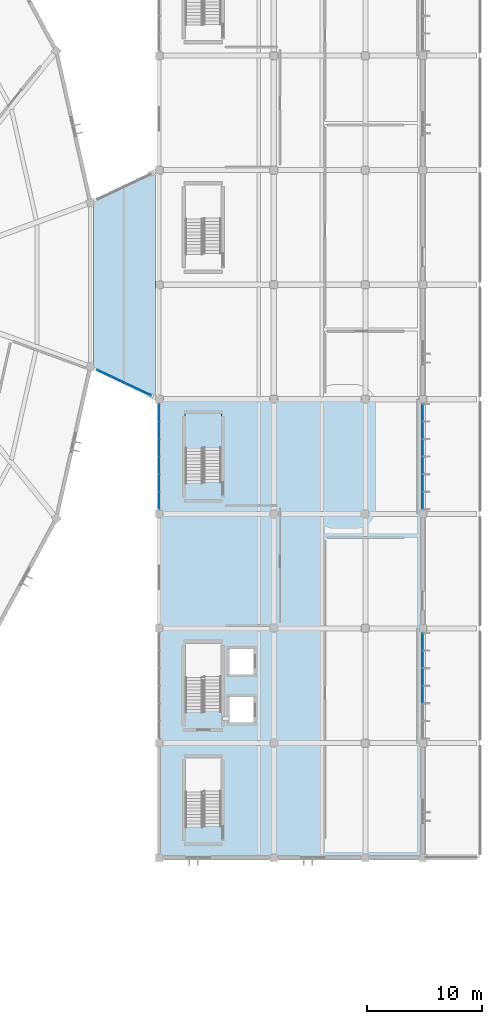
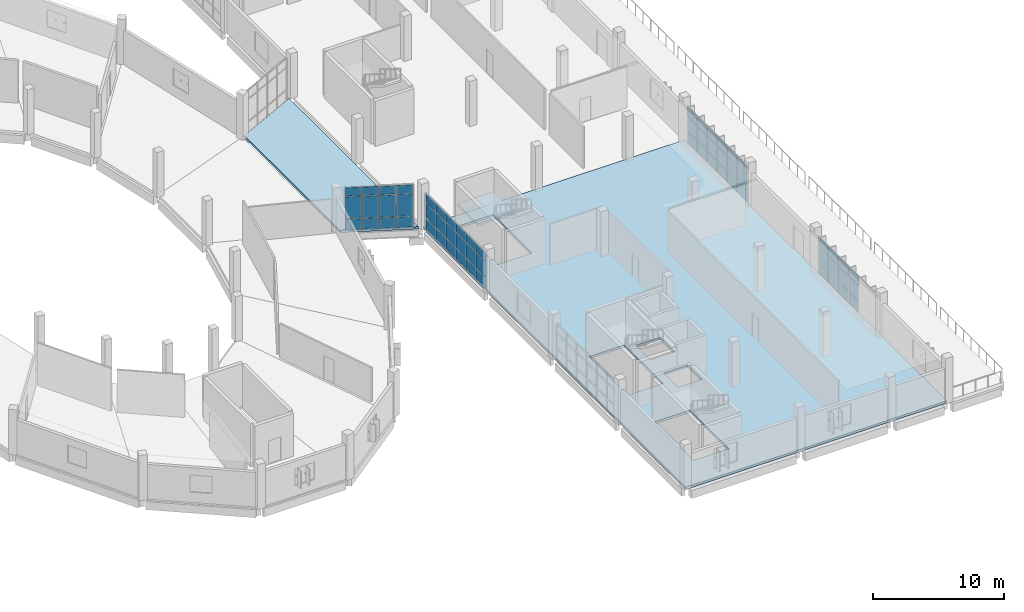
# One storey, part 88 of 142: 60 plates, 3 slabs, 5 elements without a shape of their own.
"""IFC4 building model written with IfcOpenShell, lengths in metres."""

from ifc_helpers import new_model, si_unit, direction, frame, origin, origin_2d, place, context, subcontext, project, spatial, polyline, rectangle, outline, extrude, material, layer, layer_set, type_object, element, aggregate, save


model = new_model("IFC4")

# Units and contexts
model_context = context("Model", 3, precision=1e-05, world=origin(), true_north=direction((0.0, 1.0)))
body_context = subcontext(model_context, "Body", "Model", "MODEL_VIEW")
ifc_project = project(units=[si_unit("LENGTHUNIT", "METRE"), si_unit("AREAUNIT", "SQUARE_METRE"), si_unit("VOLUMEUNIT", "CUBIC_METRE"), si_unit("PLANEANGLEUNIT", "RADIAN"), si_unit("MASSUNIT", "GRAM", prefix="KILO")], contexts=[model_context])

# Site, building, storey
site_placement = place(None, origin())
site = spatial("IfcSite", under=ifc_project, at=site_placement, CompositionType="ELEMENT")
building_placement = place(site_placement, origin())
building = spatial("IfcBuilding", under=site, at=building_placement, Name="Corvandel Quay Wholesale Market", CompositionType="ELEMENT")
storey_placement = place(building_placement, frame((0.0, 0.0, 10.800048828125)))
storey = spatial("IfcBuildingStorey", under=building, at=storey_placement, Name="L02", CompositionType="ELEMENT", Elevation=10.800048828125)

# Curtain wall, plates
ifc_material_1 = material(Name="Bronze anodised aluminium and low-E insulated glazing", Category="aluminium")
ifc_layer_1 = layer(ifc_material_1, 0.197998046875)
ifc_layer_set_1 = layer_set([ifc_layer_1], Name="Bronze anodised aluminium and low-E insulated glazing")
curtain_wall_type_1 = type_object("IfcCurtainWallType", Name="Stick Curtain Wall System CW14 H4260", PredefinedType="NOTDEFINED", material=ifc_layer_set_1)
curtain_wall_1_placement = place(storey_placement, origin())
curtain_wall_1 = element("IfcCurtainWall", 1, at=curtain_wall_1_placement, inside=storey, type_object=curtain_wall_type_1, Name="Curtain Wall CW-0156", PredefinedType="NOTDEFINED")
ifc_material_2 = material(Name="Solar-control low-E insulated glazing", Category="glass")
ifc_layer_2 = layer(ifc_material_2, 0.0400390625)
ifc_layer_set_2 = layer_set([ifc_layer_2], Name="Solar-control low-E insulated glazing")
plate_type_1 = type_object("IfcPlateType", Name="Ceramic Fritted Spandrel Panel PN03 40mm", PredefinedType="CURTAIN_PANEL", material=ifc_layer_set_2)
plate_1_placement = place(storey_placement, frame((243.0, 24.2333984375, 2.530029296875), z_axis=(0.0, 0.0, 1.0), x_axis=(0.0, 1.0, 0.0)))
plate_1 = element("IfcPlate", 2, at=plate_1_placement, type_object=plate_type_1, Name="Glazing Panel CW-0156-P02-2", PredefinedType="CURTAIN_PANEL", context=body_context, shape_type="SweptSolid", body=[
    extrude(rectangle(XDim=1.46826171875, YDim=0.0400390625, at=origin_2d()), origin(), (0.0, 0.0, 1.0), 0.7900390625),
])
plate_2_placement = place(storey_placement, frame((243.0, 25.7666015625, 2.530029296875), z_axis=(0.0, 0.0, 1.0), x_axis=(0.0, 1.0, 0.0)))
plate_2 = element("IfcPlate", 3, at=plate_2_placement, type_object=plate_type_1, Name="Glazing Panel CW-0156-P03-2", PredefinedType="CURTAIN_PANEL", context=body_context, shape_type="SweptSolid", body=[
    extrude(rectangle(XDim=1.46826171875, YDim=0.0400390625, at=origin_2d()), origin(), (0.0, 0.0, 1.0), 0.7900390625),
])
plate_3_placement = place(storey_placement, frame((243.0, 27.300048828125, 2.530029296875), z_axis=(0.0, 0.0, 1.0), x_axis=(0.0, 1.0, 0.0)))
plate_3 = element("IfcPlate", 4, at=plate_3_placement, type_object=plate_type_1, Name="Glazing Panel CW-0156-P04-2", PredefinedType="CURTAIN_PANEL", context=body_context, shape_type="SweptSolid", body=[
    extrude(rectangle(XDim=1.46826171875, YDim=0.0400390625, at=origin_2d()), origin(), (0.0, 0.0, 1.0), 0.7900390625),
])
plate_4_placement = place(storey_placement, frame((243.0, 28.833251953125, 2.530029296875), z_axis=(0.0, 0.0, 1.0), x_axis=(0.0, 1.0, 0.0)))
plate_4 = element("IfcPlate", 5, at=plate_4_placement, type_object=plate_type_1, Name="Glazing Panel CW-0156-P05-2", PredefinedType="CURTAIN_PANEL", context=body_context, shape_type="SweptSolid", body=[
    extrude(rectangle(XDim=1.46826171875, YDim=0.0400390625, at=origin_2d()), origin(), (0.0, 0.0, 1.0), 0.7900390625),
])

ifc_layer_3 = layer(ifc_material_1, 0.162109375)
ifc_layer_set_3 = layer_set([ifc_layer_3], Name="Bronze anodised aluminium and low-E insulated glazing")
curtain_wall_type_2 = type_object("IfcCurtainWallType", Name="Stick Curtain Wall System CW16 H4440", PredefinedType="NOTDEFINED", material=ifc_layer_set_3)
curtain_wall_2_placement = place(storey_placement, origin())
curtain_wall_2 = element("IfcCurtainWall", 6, at=curtain_wall_2_placement, inside=storey, type_object=curtain_wall_type_2, Name="Curtain Wall CW-0158", PredefinedType="NOTDEFINED")
plate_5_placement = place(storey_placement, frame((243.0, 41.166748046875, 2.530029296875), z_axis=(0.0, 0.0, 1.0), x_axis=(0.0, 1.0, 0.0)))
plate_5 = element("IfcPlate", 7, at=plate_5_placement, type_object=plate_type_1, Name="Glazing Panel CW-0158-P00-2", PredefinedType="CURTAIN_PANEL", context=body_context, shape_type="SweptSolid", body=[
    extrude(rectangle(XDim=1.46826171875, YDim=0.0400390625, at=origin_2d()), origin(), (0.0, 0.0, 1.0), 0.7900390625),
])
plate_6_placement = place(storey_placement, frame((243.0, 42.699951171875, 2.530029296875), z_axis=(0.0, 0.0, 1.0), x_axis=(0.0, 1.0, 0.0)))
plate_6 = element("IfcPlate", 8, at=plate_6_placement, type_object=plate_type_1, Name="Glazing Panel CW-0158-P01-2", PredefinedType="CURTAIN_PANEL", context=body_context, shape_type="SweptSolid", body=[
    extrude(rectangle(XDim=1.46826171875, YDim=0.0400390625, at=origin_2d()), origin(), (0.0, 0.0, 1.0), 0.7900390625),
])
plate_7_placement = place(storey_placement, frame((243.0, 44.2333984375, 2.530029296875), z_axis=(0.0, 0.0, 1.0), x_axis=(0.0, 1.0, 0.0)))
plate_7 = element("IfcPlate", 9, at=plate_7_placement, type_object=plate_type_1, Name="Glazing Panel CW-0158-P02-2", PredefinedType="CURTAIN_PANEL", context=body_context, shape_type="SweptSolid", body=[
    extrude(rectangle(XDim=1.46826171875, YDim=0.0400390625, at=origin_2d()), origin(), (0.0, 0.0, 1.0), 0.7900390625),
])
plate_8_placement = place(storey_placement, frame((243.0, 45.7666015625, 2.530029296875), z_axis=(0.0, 0.0, 1.0), x_axis=(0.0, 1.0, 0.0)))
plate_8 = element("IfcPlate", 10, at=plate_8_placement, type_object=plate_type_1, Name="Glazing Panel CW-0158-P03-2", PredefinedType="CURTAIN_PANEL", context=body_context, shape_type="SweptSolid", body=[
    extrude(rectangle(XDim=1.46826171875, YDim=0.0400390625, at=origin_2d()), origin(), (0.0, 0.0, 1.0), 0.7900390625),
])
plate_9_placement = place(storey_placement, frame((243.0, 47.300048828125, 2.530029296875), z_axis=(0.0, 0.0, 1.0), x_axis=(0.0, 1.0, 0.0)))
plate_9 = element("IfcPlate", 11, at=plate_9_placement, type_object=plate_type_1, Name="Glazing Panel CW-0158-P04-2", PredefinedType="CURTAIN_PANEL", context=body_context, shape_type="SweptSolid", body=[
    extrude(rectangle(XDim=1.46826171875, YDim=0.0400390625, at=origin_2d()), origin(), (0.0, 0.0, 1.0), 0.7900390625),
])
plate_10_placement = place(storey_placement, frame((243.0, 48.833251953125, 2.530029296875), z_axis=(0.0, 0.0, 1.0), x_axis=(0.0, 1.0, 0.0)))
plate_10 = element("IfcPlate", 12, at=plate_10_placement, type_object=plate_type_1, Name="Glazing Panel CW-0158-P05-2", PredefinedType="CURTAIN_PANEL", context=body_context, shape_type="SweptSolid", body=[
    extrude(rectangle(XDim=1.46826171875, YDim=0.0400390625, at=origin_2d()), origin(), (0.0, 0.0, 1.0), 0.7900390625),
])

ifc_layer_4 = layer(ifc_material_1, 0.174072265625)
ifc_layer_set_4 = layer_set([ifc_layer_4], Name="Bronze anodised aluminium and low-E insulated glazing")
curtain_wall_type_3 = type_object("IfcCurtainWallType", Name="Stick Curtain Wall System CW22 H4980", PredefinedType="NOTDEFINED", material=ifc_layer_set_4)
curtain_wall_3_placement = place(storey_placement, origin())
curtain_wall_3 = element("IfcCurtainWall", 13, at=curtain_wall_3_placement, inside=storey, type_object=curtain_wall_type_3, Name="Curtain Wall CW-0159", PredefinedType="NOTDEFINED")
plate_11_placement = place(storey_placement, frame((220.0, 41.166748046875, 2.530029296875), z_axis=(0.0, 0.0, 1.0), x_axis=(0.0, 1.0, 0.0)))
plate_11 = element("IfcPlate", 14, at=plate_11_placement, type_object=plate_type_1, Name="Glazing Panel CW-0159-P00-2", PredefinedType="CURTAIN_PANEL", context=body_context, shape_type="SweptSolid", body=[
    extrude(rectangle(XDim=1.46826171875, YDim=0.0400390625, at=origin_2d()), origin(), (0.0, 0.0, 1.0), 0.7900390625),
])
plate_12_placement = place(storey_placement, frame((220.0, 42.699951171875, 2.530029296875), z_axis=(0.0, 0.0, 1.0), x_axis=(0.0, 1.0, 0.0)))
plate_12 = element("IfcPlate", 15, at=plate_12_placement, type_object=plate_type_1, Name="Glazing Panel CW-0159-P01-2", PredefinedType="CURTAIN_PANEL", context=body_context, shape_type="SweptSolid", body=[
    extrude(rectangle(XDim=1.46826171875, YDim=0.0400390625, at=origin_2d()), origin(), (0.0, 0.0, 1.0), 0.7900390625),
])
plate_13_placement = place(storey_placement, frame((220.0, 44.2333984375, 2.530029296875), z_axis=(0.0, 0.0, 1.0), x_axis=(0.0, 1.0, 0.0)))
plate_13 = element("IfcPlate", 16, at=plate_13_placement, type_object=plate_type_1, Name="Glazing Panel CW-0159-P02-2", PredefinedType="CURTAIN_PANEL", context=body_context, shape_type="SweptSolid", body=[
    extrude(rectangle(XDim=1.46826171875, YDim=0.0400390625, at=origin_2d()), origin(), (0.0, 0.0, 1.0), 0.7900390625),
])
plate_14_placement = place(storey_placement, frame((220.0, 45.7666015625, 2.530029296875), z_axis=(0.0, 0.0, 1.0), x_axis=(0.0, 1.0, 0.0)))
plate_14 = element("IfcPlate", 17, at=plate_14_placement, type_object=plate_type_1, Name="Glazing Panel CW-0159-P03-2", PredefinedType="CURTAIN_PANEL", context=body_context, shape_type="SweptSolid", body=[
    extrude(rectangle(XDim=1.46826171875, YDim=0.0400390625, at=origin_2d()), origin(), (0.0, 0.0, 1.0), 0.7900390625),
])
plate_15_placement = place(storey_placement, frame((220.0, 47.300048828125, 2.530029296875), z_axis=(0.0, 0.0, 1.0), x_axis=(0.0, 1.0, 0.0)))
plate_15 = element("IfcPlate", 18, at=plate_15_placement, type_object=plate_type_1, Name="Glazing Panel CW-0159-P04-2", PredefinedType="CURTAIN_PANEL", context=body_context, shape_type="SweptSolid", body=[
    extrude(rectangle(XDim=1.46826171875, YDim=0.0400390625, at=origin_2d()), origin(), (0.0, 0.0, 1.0), 0.7900390625),
])
plate_16_placement = place(storey_placement, frame((220.0, 48.833251953125, 2.530029296875), z_axis=(0.0, 0.0, 1.0), x_axis=(0.0, 1.0, 0.0)))
plate_16 = element("IfcPlate", 19, at=plate_16_placement, type_object=plate_type_1, Name="Glazing Panel CW-0159-P05-2", PredefinedType="CURTAIN_PANEL", context=body_context, shape_type="SweptSolid", body=[
    extrude(rectangle(XDim=1.46826171875, YDim=0.0400390625, at=origin_2d()), origin(), (0.0, 0.0, 1.0), 0.7900390625),
])

ifc_layer_5 = layer(ifc_material_1, 0.14990234375)
ifc_layer_set_5 = layer_set([ifc_layer_5], Name="Bronze anodised aluminium and low-E insulated glazing")
curtain_wall_type_4 = type_object("IfcCurtainWallType", Name="Stick Curtain Wall System CW25 H5250", PredefinedType="NOTDEFINED", material=ifc_layer_set_5)
curtain_wall_4_placement = place(storey_placement, origin())
curtain_wall_4 = element("IfcCurtainWall", 20, at=curtain_wall_4_placement, inside=storey, type_object=curtain_wall_type_4, Name="Curtain Wall CW-0182", PredefinedType="NOTDEFINED")
plate_17_placement = place(storey_placement, frame((215.189453125, 52.276123046875, 3.1474609375), z_axis=(0.0, 0.0, 1.0), x_axis=(-0.903933318548, 0.427673421689, 0.0)))
plate_17 = element("IfcPlate", 21, at=plate_17_placement, type_object=plate_type_1, Name="Glazing Panel CW-0182-P00-2", PredefinedType="CURTAIN_PANEL", context=body_context, shape_type="SweptSolid", body=[
    extrude(rectangle(XDim=1.241943359375, YDim=0.0400390625, at=origin_2d()), origin(), (0.0, 0.0, 1.0), 0.794921875),
])
plate_18_placement = place(storey_placement, frame((216.366455078125, 51.71923828125, 3.1474609375), z_axis=(0.0, 0.0, 1.0), x_axis=(-0.903933318548, 0.427673421689, 0.0)))
plate_18 = element("IfcPlate", 22, at=plate_18_placement, type_object=plate_type_1, Name="Glazing Panel CW-0182-P01-2", PredefinedType="CURTAIN_PANEL", context=body_context, shape_type="SweptSolid", body=[
    extrude(rectangle(XDim=1.241943359375, YDim=0.0400390625, at=origin_2d()), origin(), (0.0, 0.0, 1.0), 0.794921875),
])
plate_19_placement = place(storey_placement, frame((217.543212890625, 51.16259765625, 3.1474609375), z_axis=(0.0, 0.0, 1.0), x_axis=(-0.903933318548, 0.427673421689, 0.0)))
plate_19 = element("IfcPlate", 23, at=plate_19_placement, type_object=plate_type_1, Name="Glazing Panel CW-0182-P02-2", PredefinedType="CURTAIN_PANEL", context=body_context, shape_type="SweptSolid", body=[
    extrude(rectangle(XDim=1.241943359375, YDim=0.0400390625, at=origin_2d()), origin(), (0.0, 0.0, 1.0), 0.794921875),
])
plate_20_placement = place(storey_placement, frame((218.72021484375, 50.605712890625, 3.1474609375), z_axis=(0.0, 0.0, 1.0), x_axis=(-0.903933318548, 0.427673421689, 0.0)))
plate_20 = element("IfcPlate", 24, at=plate_20_placement, type_object=plate_type_1, Name="Glazing Panel CW-0182-P03-2", PredefinedType="CURTAIN_PANEL", context=body_context, shape_type="SweptSolid", body=[
    extrude(rectangle(XDim=1.241943359375, YDim=0.0400390625, at=origin_2d()), origin(), (0.0, 0.0, 1.0), 0.794921875),
])

# Slabs
ifc_material_3 = material(Name="Precast concrete C45/55", Category="concrete")
ifc_layer_6 = layer(ifc_material_3, 0.219970703125)
ifc_layer_set_6 = layer_set([ifc_layer_6], Name="Precast concrete C45/55")
slab_type_1 = type_object("IfcSlabType", Name="Composite Precast Office Floor Slab 220", PredefinedType="FLOOR", material=ifc_layer_set_6)
slab_1_placement = place(storey_placement, frame((0.0, 0.0, -0.219970703125)))
element("IfcSlab", 25, at=slab_1_placement, inside=storey, type_object=slab_type_1, Name="Slab SLB-0466", PredefinedType="FLOOR", context=body_context, shape_type="SweptSolid", body=[
    extrude(outline(polyline([(220.0, 50.0), (243.0, 50.0), (243.0, 10.0), (220.0, 10.0), (220.0, 50.0)]), holes=[polyline([(225.39990234375, 12.800048828125), (225.39990234375, 18.699951171875), (222.300048828125, 18.699951171875), (222.300048828125, 12.800048828125), (225.39990234375, 12.800048828125)]), polyline([(228.25, 21.800048828125), (228.25, 24.0), (226.14990234375, 24.0), (226.14990234375, 21.800048828125), (228.25, 21.800048828125)]), polyline([(225.39990234375, 28.699951171875), (222.300048828125, 28.699951171875), (222.300048828125, 22.800048828125), (225.39990234375, 22.800048828125), (225.39990234375, 28.699951171875)]), polyline([(228.25, 26.0), (228.25, 28.199951171875), (226.14990234375, 28.199951171875), (226.14990234375, 26.0), (228.25, 26.0)]), polyline([(225.39990234375, 48.699951171875), (222.300048828125, 48.699951171875), (222.300048828125, 42.800048828125), (225.39990234375, 42.800048828125), (225.39990234375, 48.699951171875)])]), origin(), (0.0, 0.0, 1.0), 0.219970703125),
])
slab_2_placement = place(storey_placement, frame((0.0, 0.0, -0.219970703125)))
element("IfcSlab", 26, at=slab_2_placement, inside=storey, type_object=slab_type_1, Name="Slab SLB-0485", PredefinedType="FLOOR", context=body_context, shape_type="SweptSolid", body=[
    extrude(outline(polyline([(214.239013671875, 52.72607421875), (219.669921875, 50.156005859375), (219.669921875, 69.843994140625), (214.239013671875, 67.27392578125), (214.239013671875, 52.72607421875)])), origin(), (0.0, 0.0, 1.0), 0.219970703125),
])

# Plate
ifc_layer_7 = layer(ifc_material_2, 0.028076171875)
ifc_layer_set_7 = layer_set([ifc_layer_7], Name="Solar-control low-E insulated glazing")
plate_type_2 = type_object("IfcPlateType", Name="Double Low-E Vision Panel PN01 28mm", PredefinedType="CURTAIN_PANEL", material=ifc_layer_set_7)
plate_21_placement = place(storey_placement, frame((243.0, 24.2333984375, 0.02978515625), z_axis=(0.0, 0.0, 1.0), x_axis=(0.0, 1.0, 0.0)))
plate_21 = element("IfcPlate", 27, at=plate_21_placement, type_object=plate_type_2, Name="Glazing Panel CW-0156-P02-0", PredefinedType="CURTAIN_PANEL", context=body_context, shape_type="SweptSolid", body=[
    extrude(rectangle(XDim=1.46826171875, YDim=0.028076171875, at=origin_2d()), origin(), (0.0, 0.0, 1.0), 0.989990234375),
])

plate_22_placement = place(storey_placement, frame((243.0, 24.2333984375, 1.080078125), z_axis=(0.0, 0.0, 1.0), x_axis=(0.0, 1.0, 0.0)))
plate_22 = element("IfcPlate", 28, at=plate_22_placement, type_object=plate_type_2, Name="Glazing Panel CW-0156-P02-1", PredefinedType="CURTAIN_PANEL", context=body_context, shape_type="SweptSolid", body=[
    extrude(rectangle(XDim=1.46826171875, YDim=0.028076171875, at=origin_2d()), origin(), (0.0, 0.0, 1.0), 1.389892578125),
])

plate_23_placement = place(storey_placement, frame((243.0, 25.7666015625, 0.02978515625), z_axis=(0.0, 0.0, 1.0), x_axis=(0.0, 1.0, 0.0)))
plate_23 = element("IfcPlate", 29, at=plate_23_placement, type_object=plate_type_2, Name="Glazing Panel CW-0156-P03-0", PredefinedType="CURTAIN_PANEL", context=body_context, shape_type="SweptSolid", body=[
    extrude(rectangle(XDim=1.46826171875, YDim=0.028076171875, at=origin_2d()), origin(), (0.0, 0.0, 1.0), 0.989990234375),
])

plate_24_placement = place(storey_placement, frame((243.0, 25.7666015625, 1.080078125), z_axis=(0.0, 0.0, 1.0), x_axis=(0.0, 1.0, 0.0)))
plate_24 = element("IfcPlate", 30, at=plate_24_placement, type_object=plate_type_2, Name="Glazing Panel CW-0156-P03-1", PredefinedType="CURTAIN_PANEL", context=body_context, shape_type="SweptSolid", body=[
    extrude(rectangle(XDim=1.46826171875, YDim=0.028076171875, at=origin_2d()), origin(), (0.0, 0.0, 1.0), 1.389892578125),
])

plate_25_placement = place(storey_placement, frame((243.0, 27.300048828125, 0.02978515625), z_axis=(0.0, 0.0, 1.0), x_axis=(0.0, 1.0, 0.0)))
plate_25 = element("IfcPlate", 31, at=plate_25_placement, type_object=plate_type_2, Name="Glazing Panel CW-0156-P04-0", PredefinedType="CURTAIN_PANEL", context=body_context, shape_type="SweptSolid", body=[
    extrude(rectangle(XDim=1.46826171875, YDim=0.028076171875, at=origin_2d()), origin(), (0.0, 0.0, 1.0), 0.989990234375),
])

plate_26_placement = place(storey_placement, frame((243.0, 27.300048828125, 1.080078125), z_axis=(0.0, 0.0, 1.0), x_axis=(0.0, 1.0, 0.0)))
plate_26 = element("IfcPlate", 32, at=plate_26_placement, type_object=plate_type_2, Name="Glazing Panel CW-0156-P04-1", PredefinedType="CURTAIN_PANEL", context=body_context, shape_type="SweptSolid", body=[
    extrude(rectangle(XDim=1.46826171875, YDim=0.028076171875, at=origin_2d()), origin(), (0.0, 0.0, 1.0), 1.389892578125),
])

plate_27_placement = place(storey_placement, frame((243.0, 28.833251953125, 0.02978515625), z_axis=(0.0, 0.0, 1.0), x_axis=(0.0, 1.0, 0.0)))
plate_27 = element("IfcPlate", 33, at=plate_27_placement, type_object=plate_type_2, Name="Glazing Panel CW-0156-P05-0", PredefinedType="CURTAIN_PANEL", context=body_context, shape_type="SweptSolid", body=[
    extrude(rectangle(XDim=1.46826171875, YDim=0.028076171875, at=origin_2d()), origin(), (0.0, 0.0, 1.0), 0.989990234375),
])

plate_28_placement = place(storey_placement, frame((243.0, 28.833251953125, 1.080078125), z_axis=(0.0, 0.0, 1.0), x_axis=(0.0, 1.0, 0.0)))
plate_28 = element("IfcPlate", 34, at=plate_28_placement, type_object=plate_type_2, Name="Glazing Panel CW-0156-P05-1", PredefinedType="CURTAIN_PANEL", context=body_context, shape_type="SweptSolid", body=[
    extrude(rectangle(XDim=1.46826171875, YDim=0.028076171875, at=origin_2d()), origin(), (0.0, 0.0, 1.0), 1.389892578125),
])

aggregate(curtain_wall_1, [plate_21, plate_22, plate_1, plate_23, plate_24, plate_2, plate_25, plate_26, plate_3, plate_27, plate_28, plate_4])

plate_29_placement = place(storey_placement, frame((243.0, 41.166748046875, 0.02978515625), z_axis=(0.0, 0.0, 1.0), x_axis=(0.0, 1.0, 0.0)))
plate_29 = element("IfcPlate", 35, at=plate_29_placement, type_object=plate_type_2, Name="Glazing Panel CW-0158-P00-0", PredefinedType="CURTAIN_PANEL", context=body_context, shape_type="SweptSolid", body=[
    extrude(rectangle(XDim=1.46826171875, YDim=0.028076171875, at=origin_2d()), origin(), (0.0, 0.0, 1.0), 0.989990234375),
])

plate_30_placement = place(storey_placement, frame((243.0, 41.166748046875, 1.080078125), z_axis=(0.0, 0.0, 1.0), x_axis=(0.0, 1.0, 0.0)))
plate_30 = element("IfcPlate", 36, at=plate_30_placement, type_object=plate_type_2, Name="Glazing Panel CW-0158-P00-1", PredefinedType="CURTAIN_PANEL", context=body_context, shape_type="SweptSolid", body=[
    extrude(rectangle(XDim=1.46826171875, YDim=0.028076171875, at=origin_2d()), origin(), (0.0, 0.0, 1.0), 1.389892578125),
])

plate_31_placement = place(storey_placement, frame((243.0, 42.699951171875, 0.02978515625), z_axis=(0.0, 0.0, 1.0), x_axis=(0.0, 1.0, 0.0)))
plate_31 = element("IfcPlate", 37, at=plate_31_placement, type_object=plate_type_2, Name="Glazing Panel CW-0158-P01-0", PredefinedType="CURTAIN_PANEL", context=body_context, shape_type="SweptSolid", body=[
    extrude(rectangle(XDim=1.46826171875, YDim=0.028076171875, at=origin_2d()), origin(), (0.0, 0.0, 1.0), 0.989990234375),
])

plate_32_placement = place(storey_placement, frame((243.0, 42.699951171875, 1.080078125), z_axis=(0.0, 0.0, 1.0), x_axis=(0.0, 1.0, 0.0)))
plate_32 = element("IfcPlate", 38, at=plate_32_placement, type_object=plate_type_2, Name="Glazing Panel CW-0158-P01-1", PredefinedType="CURTAIN_PANEL", context=body_context, shape_type="SweptSolid", body=[
    extrude(rectangle(XDim=1.46826171875, YDim=0.028076171875, at=origin_2d()), origin(), (0.0, 0.0, 1.0), 1.389892578125),
])

plate_33_placement = place(storey_placement, frame((243.0, 44.2333984375, 0.02978515625), z_axis=(0.0, 0.0, 1.0), x_axis=(0.0, 1.0, 0.0)))
plate_33 = element("IfcPlate", 39, at=plate_33_placement, type_object=plate_type_2, Name="Glazing Panel CW-0158-P02-0", PredefinedType="CURTAIN_PANEL", context=body_context, shape_type="SweptSolid", body=[
    extrude(rectangle(XDim=1.46826171875, YDim=0.028076171875, at=origin_2d()), origin(), (0.0, 0.0, 1.0), 0.989990234375),
])

plate_34_placement = place(storey_placement, frame((243.0, 44.2333984375, 1.080078125), z_axis=(0.0, 0.0, 1.0), x_axis=(0.0, 1.0, 0.0)))
plate_34 = element("IfcPlate", 40, at=plate_34_placement, type_object=plate_type_2, Name="Glazing Panel CW-0158-P02-1", PredefinedType="CURTAIN_PANEL", context=body_context, shape_type="SweptSolid", body=[
    extrude(rectangle(XDim=1.46826171875, YDim=0.028076171875, at=origin_2d()), origin(), (0.0, 0.0, 1.0), 1.389892578125),
])

plate_35_placement = place(storey_placement, frame((243.0, 45.7666015625, 0.02978515625), z_axis=(0.0, 0.0, 1.0), x_axis=(0.0, 1.0, 0.0)))
plate_35 = element("IfcPlate", 41, at=plate_35_placement, type_object=plate_type_2, Name="Glazing Panel CW-0158-P03-0", PredefinedType="CURTAIN_PANEL", context=body_context, shape_type="SweptSolid", body=[
    extrude(rectangle(XDim=1.46826171875, YDim=0.028076171875, at=origin_2d()), origin(), (0.0, 0.0, 1.0), 0.989990234375),
])

plate_36_placement = place(storey_placement, frame((243.0, 45.7666015625, 1.080078125), z_axis=(0.0, 0.0, 1.0), x_axis=(0.0, 1.0, 0.0)))
plate_36 = element("IfcPlate", 42, at=plate_36_placement, type_object=plate_type_2, Name="Glazing Panel CW-0158-P03-1", PredefinedType="CURTAIN_PANEL", context=body_context, shape_type="SweptSolid", body=[
    extrude(rectangle(XDim=1.46826171875, YDim=0.028076171875, at=origin_2d()), origin(), (0.0, 0.0, 1.0), 1.389892578125),
])

plate_37_placement = place(storey_placement, frame((243.0, 47.300048828125, 0.02978515625), z_axis=(0.0, 0.0, 1.0), x_axis=(0.0, 1.0, 0.0)))
plate_37 = element("IfcPlate", 43, at=plate_37_placement, type_object=plate_type_2, Name="Glazing Panel CW-0158-P04-0", PredefinedType="CURTAIN_PANEL", context=body_context, shape_type="SweptSolid", body=[
    extrude(rectangle(XDim=1.46826171875, YDim=0.028076171875, at=origin_2d()), origin(), (0.0, 0.0, 1.0), 0.989990234375),
])

plate_38_placement = place(storey_placement, frame((243.0, 47.300048828125, 1.080078125), z_axis=(0.0, 0.0, 1.0), x_axis=(0.0, 1.0, 0.0)))
plate_38 = element("IfcPlate", 44, at=plate_38_placement, type_object=plate_type_2, Name="Glazing Panel CW-0158-P04-1", PredefinedType="CURTAIN_PANEL", context=body_context, shape_type="SweptSolid", body=[
    extrude(rectangle(XDim=1.46826171875, YDim=0.028076171875, at=origin_2d()), origin(), (0.0, 0.0, 1.0), 1.389892578125),
])

plate_39_placement = place(storey_placement, frame((243.0, 48.833251953125, 0.02978515625), z_axis=(0.0, 0.0, 1.0), x_axis=(0.0, 1.0, 0.0)))
plate_39 = element("IfcPlate", 45, at=plate_39_placement, type_object=plate_type_2, Name="Glazing Panel CW-0158-P05-0", PredefinedType="CURTAIN_PANEL", context=body_context, shape_type="SweptSolid", body=[
    extrude(rectangle(XDim=1.46826171875, YDim=0.028076171875, at=origin_2d()), origin(), (0.0, 0.0, 1.0), 0.989990234375),
])

plate_40_placement = place(storey_placement, frame((243.0, 48.833251953125, 1.080078125), z_axis=(0.0, 0.0, 1.0), x_axis=(0.0, 1.0, 0.0)))
plate_40 = element("IfcPlate", 46, at=plate_40_placement, type_object=plate_type_2, Name="Glazing Panel CW-0158-P05-1", PredefinedType="CURTAIN_PANEL", context=body_context, shape_type="SweptSolid", body=[
    extrude(rectangle(XDim=1.46826171875, YDim=0.028076171875, at=origin_2d()), origin(), (0.0, 0.0, 1.0), 1.389892578125),
])

aggregate(curtain_wall_2, [plate_29, plate_30, plate_5, plate_31, plate_32, plate_6, plate_33, plate_34, plate_7, plate_35, plate_36, plate_8, plate_37, plate_38, plate_9, plate_39, plate_40, plate_10])

plate_41_placement = place(storey_placement, frame((220.0, 41.166748046875, 0.02978515625), z_axis=(0.0, 0.0, 1.0), x_axis=(0.0, 1.0, 0.0)))
plate_41 = element("IfcPlate", 47, at=plate_41_placement, type_object=plate_type_2, Name="Glazing Panel CW-0159-P00-0", PredefinedType="CURTAIN_PANEL", context=body_context, shape_type="SweptSolid", body=[
    extrude(rectangle(XDim=1.46826171875, YDim=0.028076171875, at=origin_2d()), origin(), (0.0, 0.0, 1.0), 0.989990234375),
])

plate_42_placement = place(storey_placement, frame((220.0, 41.166748046875, 1.080078125), z_axis=(0.0, 0.0, 1.0), x_axis=(0.0, 1.0, 0.0)))
plate_42 = element("IfcPlate", 48, at=plate_42_placement, type_object=plate_type_2, Name="Glazing Panel CW-0159-P00-1", PredefinedType="CURTAIN_PANEL", context=body_context, shape_type="SweptSolid", body=[
    extrude(rectangle(XDim=1.46826171875, YDim=0.028076171875, at=origin_2d()), origin(), (0.0, 0.0, 1.0), 1.389892578125),
])

plate_43_placement = place(storey_placement, frame((220.0, 42.699951171875, 0.02978515625), z_axis=(0.0, 0.0, 1.0), x_axis=(0.0, 1.0, 0.0)))
plate_43 = element("IfcPlate", 49, at=plate_43_placement, type_object=plate_type_2, Name="Glazing Panel CW-0159-P01-0", PredefinedType="CURTAIN_PANEL", context=body_context, shape_type="SweptSolid", body=[
    extrude(rectangle(XDim=1.46826171875, YDim=0.028076171875, at=origin_2d()), origin(), (0.0, 0.0, 1.0), 0.989990234375),
])

plate_44_placement = place(storey_placement, frame((220.0, 42.699951171875, 1.080078125), z_axis=(0.0, 0.0, 1.0), x_axis=(0.0, 1.0, 0.0)))
plate_44 = element("IfcPlate", 50, at=plate_44_placement, type_object=plate_type_2, Name="Glazing Panel CW-0159-P01-1", PredefinedType="CURTAIN_PANEL", context=body_context, shape_type="SweptSolid", body=[
    extrude(rectangle(XDim=1.46826171875, YDim=0.028076171875, at=origin_2d()), origin(), (0.0, 0.0, 1.0), 1.389892578125),
])

plate_45_placement = place(storey_placement, frame((220.0, 44.2333984375, 0.02978515625), z_axis=(0.0, 0.0, 1.0), x_axis=(0.0, 1.0, 0.0)))
plate_45 = element("IfcPlate", 51, at=plate_45_placement, type_object=plate_type_2, Name="Glazing Panel CW-0159-P02-0", PredefinedType="CURTAIN_PANEL", context=body_context, shape_type="SweptSolid", body=[
    extrude(rectangle(XDim=1.46826171875, YDim=0.028076171875, at=origin_2d()), origin(), (0.0, 0.0, 1.0), 0.989990234375),
])

plate_46_placement = place(storey_placement, frame((220.0, 44.2333984375, 1.080078125), z_axis=(0.0, 0.0, 1.0), x_axis=(0.0, 1.0, 0.0)))
plate_46 = element("IfcPlate", 52, at=plate_46_placement, type_object=plate_type_2, Name="Glazing Panel CW-0159-P02-1", PredefinedType="CURTAIN_PANEL", context=body_context, shape_type="SweptSolid", body=[
    extrude(rectangle(XDim=1.46826171875, YDim=0.028076171875, at=origin_2d()), origin(), (0.0, 0.0, 1.0), 1.389892578125),
])

plate_47_placement = place(storey_placement, frame((220.0, 45.7666015625, 0.02978515625), z_axis=(0.0, 0.0, 1.0), x_axis=(0.0, 1.0, 0.0)))
plate_47 = element("IfcPlate", 53, at=plate_47_placement, type_object=plate_type_2, Name="Glazing Panel CW-0159-P03-0", PredefinedType="CURTAIN_PANEL", context=body_context, shape_type="SweptSolid", body=[
    extrude(rectangle(XDim=1.46826171875, YDim=0.028076171875, at=origin_2d()), origin(), (0.0, 0.0, 1.0), 0.989990234375),
])

plate_48_placement = place(storey_placement, frame((220.0, 45.7666015625, 1.080078125), z_axis=(0.0, 0.0, 1.0), x_axis=(0.0, 1.0, 0.0)))
plate_48 = element("IfcPlate", 54, at=plate_48_placement, type_object=plate_type_2, Name="Glazing Panel CW-0159-P03-1", PredefinedType="CURTAIN_PANEL", context=body_context, shape_type="SweptSolid", body=[
    extrude(rectangle(XDim=1.46826171875, YDim=0.028076171875, at=origin_2d()), origin(), (0.0, 0.0, 1.0), 1.389892578125),
])

plate_49_placement = place(storey_placement, frame((220.0, 47.300048828125, 0.02978515625), z_axis=(0.0, 0.0, 1.0), x_axis=(0.0, 1.0, 0.0)))
plate_49 = element("IfcPlate", 55, at=plate_49_placement, type_object=plate_type_2, Name="Glazing Panel CW-0159-P04-0", PredefinedType="CURTAIN_PANEL", context=body_context, shape_type="SweptSolid", body=[
    extrude(rectangle(XDim=1.46826171875, YDim=0.028076171875, at=origin_2d()), origin(), (0.0, 0.0, 1.0), 0.989990234375),
])

plate_50_placement = place(storey_placement, frame((220.0, 47.300048828125, 1.080078125), z_axis=(0.0, 0.0, 1.0), x_axis=(0.0, 1.0, 0.0)))
plate_50 = element("IfcPlate", 56, at=plate_50_placement, type_object=plate_type_2, Name="Glazing Panel CW-0159-P04-1", PredefinedType="CURTAIN_PANEL", context=body_context, shape_type="SweptSolid", body=[
    extrude(rectangle(XDim=1.46826171875, YDim=0.028076171875, at=origin_2d()), origin(), (0.0, 0.0, 1.0), 1.389892578125),
])

plate_51_placement = place(storey_placement, frame((220.0, 48.833251953125, 0.02978515625), z_axis=(0.0, 0.0, 1.0), x_axis=(0.0, 1.0, 0.0)))
plate_51 = element("IfcPlate", 57, at=plate_51_placement, type_object=plate_type_2, Name="Glazing Panel CW-0159-P05-0", PredefinedType="CURTAIN_PANEL", context=body_context, shape_type="SweptSolid", body=[
    extrude(rectangle(XDim=1.46826171875, YDim=0.028076171875, at=origin_2d()), origin(), (0.0, 0.0, 1.0), 0.989990234375),
])

plate_52_placement = place(storey_placement, frame((220.0, 48.833251953125, 1.080078125), z_axis=(0.0, 0.0, 1.0), x_axis=(0.0, 1.0, 0.0)))
plate_52 = element("IfcPlate", 58, at=plate_52_placement, type_object=plate_type_2, Name="Glazing Panel CW-0159-P05-1", PredefinedType="CURTAIN_PANEL", context=body_context, shape_type="SweptSolid", body=[
    extrude(rectangle(XDim=1.46826171875, YDim=0.028076171875, at=origin_2d()), origin(), (0.0, 0.0, 1.0), 1.389892578125),
])

aggregate(curtain_wall_3, [plate_41, plate_42, plate_11, plate_43, plate_44, plate_12, plate_45, plate_46, plate_13, plate_47, plate_48, plate_14, plate_49, plate_50, plate_15, plate_51, plate_52, plate_16])

plate_53_placement = place(storey_placement, frame((215.189453125, 52.276123046875, -0.002685546875), z_axis=(0.0, 0.0, 1.0), x_axis=(-0.903933318548, 0.427673421689, 0.0)))
plate_53 = element("IfcPlate", 59, at=plate_53_placement, type_object=plate_type_2, Name="Glazing Panel CW-0182-P00-0", PredefinedType="CURTAIN_PANEL", context=body_context, shape_type="SweptSolid", body=[
    extrude(rectangle(XDim=1.241943359375, YDim=0.028076171875, at=origin_2d()), origin(), (0.0, 0.0, 1.0), 0.9951171875),
])

plate_54_placement = place(storey_placement, frame((215.189453125, 52.276123046875, 1.047607421875), z_axis=(0.0, 0.0, 1.0), x_axis=(-0.903933318548, 0.427673421689, 0.0)))
plate_54 = element("IfcPlate", 60, at=plate_54_placement, type_object=plate_type_2, Name="Glazing Panel CW-0182-P00-1", PredefinedType="CURTAIN_PANEL", context=body_context, shape_type="SweptSolid", body=[
    extrude(rectangle(XDim=1.241943359375, YDim=0.028076171875, at=origin_2d()), origin(), (0.0, 0.0, 1.0), 2.044921875),
])

plate_55_placement = place(storey_placement, frame((216.366455078125, 51.71923828125, -0.002685546875), z_axis=(0.0, 0.0, 1.0), x_axis=(-0.903933318548, 0.427673421689, 0.0)))
plate_55 = element("IfcPlate", 61, at=plate_55_placement, type_object=plate_type_2, Name="Glazing Panel CW-0182-P01-0", PredefinedType="CURTAIN_PANEL", context=body_context, shape_type="SweptSolid", body=[
    extrude(rectangle(XDim=1.241943359375, YDim=0.028076171875, at=origin_2d()), origin(), (0.0, 0.0, 1.0), 0.9951171875),
])

plate_56_placement = place(storey_placement, frame((216.366455078125, 51.71923828125, 1.047607421875), z_axis=(0.0, 0.0, 1.0), x_axis=(-0.903933318548, 0.427673421689, 0.0)))
plate_56 = element("IfcPlate", 62, at=plate_56_placement, type_object=plate_type_2, Name="Glazing Panel CW-0182-P01-1", PredefinedType="CURTAIN_PANEL", context=body_context, shape_type="SweptSolid", body=[
    extrude(rectangle(XDim=1.241943359375, YDim=0.028076171875, at=origin_2d()), origin(), (0.0, 0.0, 1.0), 2.044921875),
])

plate_57_placement = place(storey_placement, frame((217.543212890625, 51.16259765625, -0.002685546875), z_axis=(0.0, 0.0, 1.0), x_axis=(-0.903933318548, 0.427673421689, 0.0)))
plate_57 = element("IfcPlate", 63, at=plate_57_placement, type_object=plate_type_2, Name="Glazing Panel CW-0182-P02-0", PredefinedType="CURTAIN_PANEL", context=body_context, shape_type="SweptSolid", body=[
    extrude(rectangle(XDim=1.241943359375, YDim=0.028076171875, at=origin_2d()), origin(), (0.0, 0.0, 1.0), 0.9951171875),
])

plate_58_placement = place(storey_placement, frame((217.543212890625, 51.16259765625, 1.047607421875), z_axis=(0.0, 0.0, 1.0), x_axis=(-0.903933318548, 0.427673421689, 0.0)))
plate_58 = element("IfcPlate", 64, at=plate_58_placement, type_object=plate_type_2, Name="Glazing Panel CW-0182-P02-1", PredefinedType="CURTAIN_PANEL", context=body_context, shape_type="SweptSolid", body=[
    extrude(rectangle(XDim=1.241943359375, YDim=0.028076171875, at=origin_2d()), origin(), (0.0, 0.0, 1.0), 2.044921875),
])

plate_59_placement = place(storey_placement, frame((218.72021484375, 50.605712890625, -0.002685546875), z_axis=(0.0, 0.0, 1.0), x_axis=(-0.903933318548, 0.427673421689, 0.0)))
plate_59 = element("IfcPlate", 65, at=plate_59_placement, type_object=plate_type_2, Name="Glazing Panel CW-0182-P03-0", PredefinedType="CURTAIN_PANEL", context=body_context, shape_type="SweptSolid", body=[
    extrude(rectangle(XDim=1.241943359375, YDim=0.028076171875, at=origin_2d()), origin(), (0.0, 0.0, 1.0), 0.9951171875),
])

plate_60_placement = place(storey_placement, frame((218.72021484375, 50.605712890625, 1.047607421875), z_axis=(0.0, 0.0, 1.0), x_axis=(-0.903933318548, 0.427673421689, 0.0)))
plate_60 = element("IfcPlate", 66, at=plate_60_placement, type_object=plate_type_2, Name="Glazing Panel CW-0182-P03-1", PredefinedType="CURTAIN_PANEL", context=body_context, shape_type="SweptSolid", body=[
    extrude(rectangle(XDim=1.241943359375, YDim=0.028076171875, at=origin_2d()), origin(), (0.0, 0.0, 1.0), 2.044921875),
])

aggregate(curtain_wall_4, [plate_53, plate_54, plate_17, plate_55, plate_56, plate_18, plate_57, plate_58, plate_19, plate_59, plate_60, plate_20])

# Stair, slab
ifc_material_4 = material(Name="Concrete C40/50", Category="concrete")
stair_type = type_object("IfcStairType", Name="Exit Stair Two-Return L02-L03 ST03", PredefinedType="USERDEFINED", material=ifc_material_4)
stair_placement = place(storey_placement, origin())
stair = element("IfcStair", 67, at=stair_placement, inside=storey, type_object=stair_type, Name="Exit Stair STR-031", ObjectType="TWO_RETURN_STAIR", PredefinedType="USERDEFINED")
ifc_layer_8 = layer(ifc_material_4, 0.219970703125)
ifc_layer_set_8 = layer_set([ifc_layer_8], Name="Concrete C40/50")
slab_type_2 = type_object("IfcSlabType", Name="Precast Stair Landing LND03 220", PredefinedType="LANDING", material=ifc_layer_set_8)
slab_3_placement = place(storey_placement, frame((0.0, 0.0, 1.8798828125)))
slab_3 = element("IfcSlab", 68, at=slab_3_placement, type_object=slab_type_2, Name="Stair Landing STR-031-LND", PredefinedType="LANDING", context=body_context, shape_type="SweptSolid", body=[
    extrude(outline(polyline([(222.260009765625, 45.6298828125), (225.43994140625, 45.6298828125), (225.43994140625, 48.739990234375), (222.260009765625, 48.739990234375), (222.260009765625, 45.6298828125)])), origin(), (0.0, 0.0, 1.0), 0.219970703125),
])
aggregate(stair, [slab_3])

save(model, "model.ifc")
